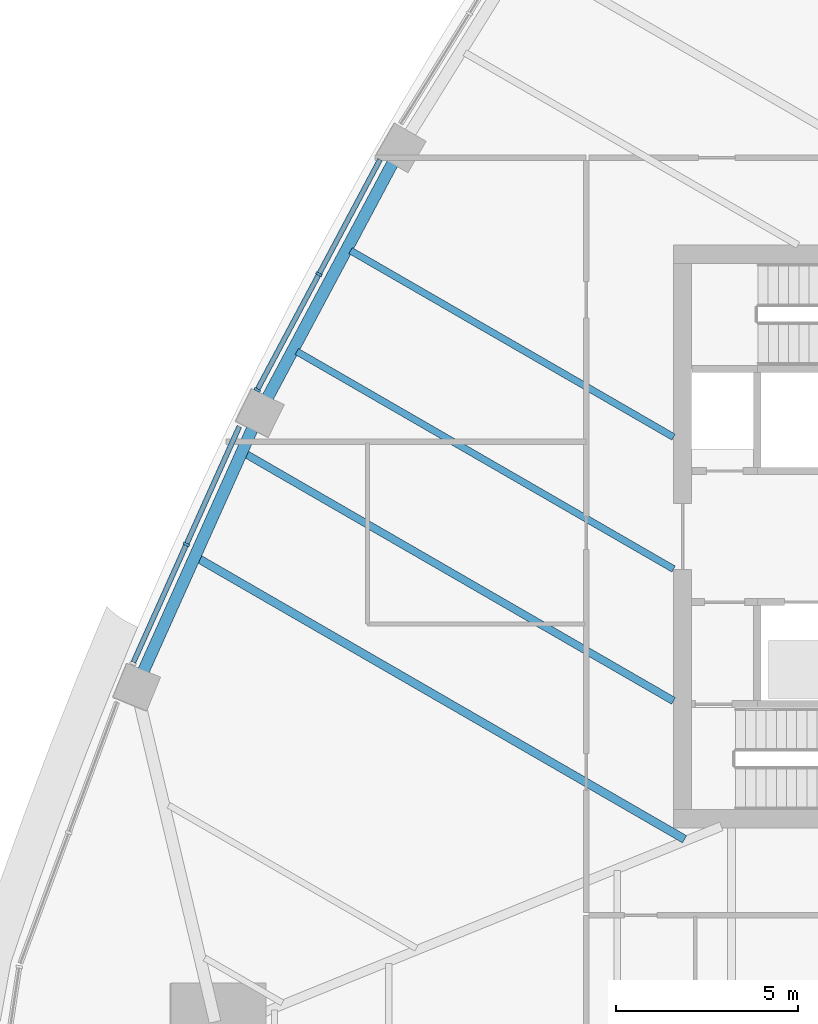
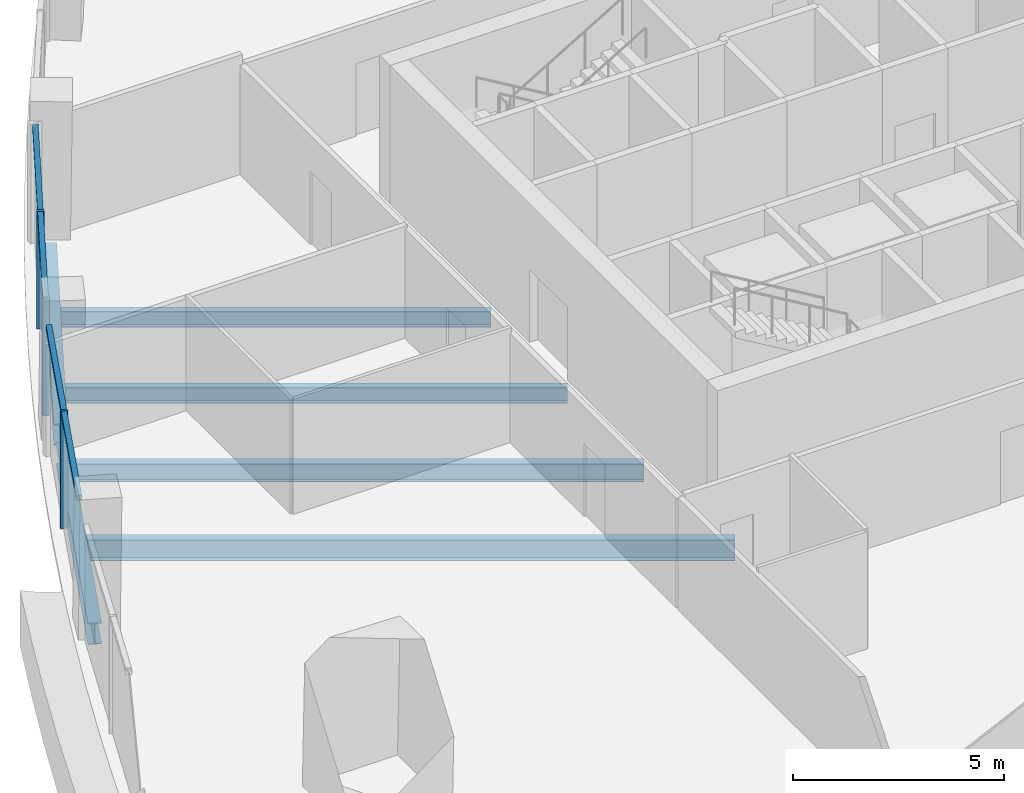
# One storey, part 3 of 16: 7 members, 6 beams, 2 elements without a shape of their own.
"""IFC4 building model written with IfcOpenShell, lengths in metres."""

from ifc_helpers import new_model, si_unit, direction, frame, origin, origin_2d, place, context, subcontext, project, spatial, rectangle, i_section, extrude, material, layer, layer_set, material_profile, profile_set, type_object, element, aggregate, save


model = new_model("IFC4")

# Units and contexts
model_context = context("Model", 3, precision=1e-05, world=origin(), true_north=direction((0.0, 1.0)))
body_context = subcontext(model_context, "Body", "Model", "MODEL_VIEW")
ifc_project = project(units=[si_unit("LENGTHUNIT", "METRE"), si_unit("AREAUNIT", "SQUARE_METRE"), si_unit("VOLUMEUNIT", "CUBIC_METRE"), si_unit("PLANEANGLEUNIT", "RADIAN"), si_unit("MASSUNIT", "GRAM", prefix="KILO")], contexts=[model_context])

# Site, building, storey
site_placement = place(None, origin())
site = spatial("IfcSite", under=ifc_project, at=site_placement, CompositionType="ELEMENT")
building_placement = place(site_placement, origin())
building = spatial("IfcBuilding", under=site, at=building_placement, Name="Sierra Prisma Convention Tower", CompositionType="ELEMENT")
storey_placement = place(building_placement, frame((0.0, 0.0, 181.800048828125)))
storey = spatial("IfcBuildingStorey", under=building, at=storey_placement, Name="L40", CompositionType="ELEMENT", Elevation=181.800048828125)

# Curtain wall, members
ifc_material_1 = material(Name="Aluminium and glass curtain wall", Category="aluminium")
ifc_layer = layer(ifc_material_1, 0.179931640625)
ifc_layer_set = layer_set([ifc_layer], Name="CW-1 Plain shaft curtain wall")
curtain_wall_type = type_object("IfcCurtainWallType", Name="CW-1 Plain shaft curtain wall", PredefinedType="NOTDEFINED", material=ifc_layer_set)
curtain_wall_1_placement = place(storey_placement, origin())
curtain_wall_1 = element("IfcCurtainWall", 1, at=curtain_wall_1_placement, inside=storey, type_object=curtain_wall_type, Name="CW-1 NW4 L40", PredefinedType="NOTDEFINED")
ifc_material_2 = material(Name="Aluminium 6063-T6 bronze anodised", Category="aluminium")
ifc_material_profile_1 = material_profile(ifc_material_2, rectangle(XDim=0.179931640625, YDim=0.070068359375, at=origin_2d()), Name="ALU MULLION 70x180")
ifc_profile_set_1 = profile_set([ifc_material_profile_1], Name="Aluminium 6063-T6 bronze anodised")
member_type_1 = type_object("IfcMemberType", Name="CW mullion bronze", PredefinedType="MULLION", material=ifc_profile_set_1)
member_1_placement = place(storey_placement, frame((-20.73388671875, 7.199951171875, 0.0), z_axis=(0.0, 0.0, 1.0), x_axis=(0.882426584724, -0.470450127615, 0.0)))
member_1 = element("IfcMember", 2, at=member_1_placement, type_object=member_type_1, Name="CW-1 mullion NW4.2", PredefinedType="MULLION", context=body_context, shape_type="SweptSolid", body=[
    extrude(rectangle(XDim=0.179931640625, YDim=0.070068359375, at=origin_2d()), origin(), (0.0, 0.0, 1.0), 3.39990234375),
])
member_2_placement = place(storey_placement, frame((-22.4267578125, 4.0244140625, 0.0), z_axis=(0.0, 0.0, 1.0), x_axis=(0.882426584724, -0.470450127615, 0.0)))
member_2 = element("IfcMember", 3, at=member_2_placement, type_object=member_type_1, Name="CW-1 mullion NW4.3", PredefinedType="MULLION", context=body_context, shape_type="SweptSolid", body=[
    extrude(rectangle(XDim=0.179931640625, YDim=0.070068359375, at=origin_2d()), origin(), (0.0, 0.0, 1.0), 3.39990234375),
])

# Curtain wall, member
curtain_wall_2_placement = place(storey_placement, origin())
curtain_wall_2 = element("IfcCurtainWall", 4, at=curtain_wall_2_placement, inside=storey, type_object=curtain_wall_type, Name="CW-1 NW5 L40", PredefinedType="NOTDEFINED")
member_3_placement = place(storey_placement, frame((-24.371826171875, -0.215087890625, 0.0), z_axis=(0.0, 0.0, 1.0), x_axis=(0.912187658255, -0.409772712767, 0.0)))
member_3 = element("IfcMember", 5, at=member_3_placement, type_object=member_type_1, Name="CW-1 mullion NW5.2", PredefinedType="MULLION", context=body_context, shape_type="SweptSolid", body=[
    extrude(rectangle(XDim=0.179931640625, YDim=0.070068359375, at=origin_2d()), origin(), (0.0, 0.0, 1.0), 3.39990234375),
])

# Member
ifc_material_3 = material(Name="Aluminium 6063-T6 bronze anodised", Category="aluminium")
ifc_material_profile_2 = material_profile(ifc_material_3, rectangle(XDim=0.139892578125, YDim=0.1201171875, at=origin_2d()), Name="ALU TRANSOM 120x140")
ifc_profile_set_2 = profile_set([ifc_material_profile_2], Name="Aluminium 6063-T6 bronze anodised")
member_type_2 = type_object("IfcMemberType", Name="CW transom bronze", PredefinedType="USERDEFINED", material=ifc_profile_set_2)
member_4_placement = place(storey_placement, frame((-19.05712890625, 10.344970703125, 3.33984375), z_axis=(-0.470444596473, -0.882429533532, 0.0), x_axis=(0.882429533532, -0.470444596473, 0.0)))
member_4 = element("IfcMember", 6, at=member_4_placement, type_object=member_type_2, Name="CW-1 transom NW4.1", ObjectType="TRANSOM", PredefinedType="USERDEFINED", context=body_context, shape_type="SweptSolid", body=[
    extrude(rectangle(XDim=0.139892578125, YDim=0.1201171875, at=origin_2d()), origin(), (0.0, 0.0, 1.0), 3.52880859375),
])

member_5_placement = place(storey_placement, frame((-20.750244140625, 7.169189453125, 3.33984375), z_axis=(-0.470444596473, -0.882429533532, 0.0), x_axis=(0.882429533532, -0.470444596473, 0.0)))
member_5 = element("IfcMember", 7, at=member_5_placement, type_object=member_type_2, Name="CW-1 transom NW4.2", ObjectType="TRANSOM", PredefinedType="USERDEFINED", context=body_context, shape_type="SweptSolid", body=[
    extrude(rectangle(XDim=0.139892578125, YDim=0.1201171875, at=origin_2d()), origin(), (0.0, 0.0, 1.0), 3.52880859375),
])

aggregate(curtain_wall_1, [member_1, member_2, member_4, member_5])

member_6_placement = place(storey_placement, frame((-22.91796875, 3.021240234375, 3.33984375), z_axis=(-0.409772178837, -0.912187898106, 0.0), x_axis=(0.912187898106, -0.409772178837, 0.0)))
member_6 = element("IfcMember", 8, at=member_6_placement, type_object=member_type_2, Name="CW-1 transom NW5.1", ObjectType="TRANSOM", PredefinedType="USERDEFINED", context=body_context, shape_type="SweptSolid", body=[
    extrude(rectangle(XDim=0.139892578125, YDim=0.1201171875, at=origin_2d()), origin(), (0.0, 0.0, 1.0), 3.5126953125),
])

member_7_placement = place(storey_placement, frame((-24.38623046875, -0.246826171875, 3.33984375), z_axis=(-0.409772178837, -0.912187898106, 0.0), x_axis=(0.912187898106, -0.409772178837, 0.0)))
member_7 = element("IfcMember", 9, at=member_7_placement, type_object=member_type_2, Name="CW-1 transom NW5.2", ObjectType="TRANSOM", PredefinedType="USERDEFINED", context=body_context, shape_type="SweptSolid", body=[
    extrude(rectangle(XDim=0.139892578125, YDim=0.1201171875, at=origin_2d()), origin(), (0.0, 0.0, 1.0), 3.5126953125),
])

aggregate(curtain_wall_2, [member_3, member_6, member_7])

# Beams
ifc_material_4 = material(Name="Steel ASTM A992 Gr 50", Category="steel")
ifc_material_profile_3 = material_profile(ifc_material_4, i_section(OverallWidth=0.18994140625, OverallDepth=0.45703125, WebThickness=0.009033203125, FlangeThickness=0.014404296875, at=origin_2d()), Name="W460x74")
ifc_profile_set_3 = profile_set([ifc_material_profile_3], Name="Steel ASTM A992 Gr 50")
beam_type_1 = type_object("IfcBeamType", Name="Floor joist W460x74", PredefinedType="JOIST", material=ifc_profile_set_3)
beam_1_placement = place(storey_placement, frame((-19.86474609375, 7.847412109375, -0.378662109375), z_axis=(0.86602115158, -0.500007364961, 0.0), x_axis=(0.500007364961, 0.86602115158, 0.0)))
element("IfcBeam", 10, at=beam_1_placement, inside=storey, type_object=beam_type_1, Name="Floor joist L40 NW09", PredefinedType="JOIST", context=body_context, shape_type="SweptSolid", body=[
    extrude(i_section(OverallWidth=0.18994140625, OverallDepth=0.45703125, WebThickness=0.009033203125, FlangeThickness=0.014404296875, at=origin_2d()), origin(), (0.0, 0.0, 1.0), 10.236083984375),
])
beam_2_placement = place(storey_placement, frame((-21.341064453125, 5.078125, -0.378662109375), z_axis=(0.866023857569, -0.500002678114, 0.0), x_axis=(0.500002678114, 0.866023857569, 0.0)))
element("IfcBeam", 11, at=beam_2_placement, inside=storey, type_object=beam_type_1, Name="Floor joist L40 NW10", PredefinedType="JOIST", context=body_context, shape_type="SweptSolid", body=[
    extrude(i_section(OverallWidth=0.18994140625, OverallDepth=0.45703125, WebThickness=0.009033203125, FlangeThickness=0.014404296875, at=origin_2d()), origin(), (0.0, 0.0, 1.0), 11.94091796875),
])
ifc_material_5 = material(Name="Steel ASTM A992 Gr 50", Category="steel")
ifc_material_profile_4 = material_profile(ifc_material_5, i_section(OverallWidth=0.208984375, OverallDepth=0.532958984375, WebThickness=0.01025390625, FlangeThickness=0.015625, at=origin_2d()), Name="W530x92")
ifc_profile_set_4 = profile_set([ifc_material_profile_4], Name="Steel ASTM A992 Gr 50")
beam_type_2 = type_object("IfcBeamType", Name="Floor joist W530x92", PredefinedType="JOIST", material=ifc_profile_set_4)
beam_3_placement = place(storey_placement, frame((-22.748779296875, 2.269287109375, -0.41650390625), z_axis=(0.866024055708, -0.500002334929, 0.0), x_axis=(0.500002334929, 0.866024055708, 0.0)))
element("IfcBeam", 12, at=beam_3_placement, inside=storey, type_object=beam_type_2, Name="Floor joist L40 NW11", PredefinedType="JOIST", context=body_context, shape_type="SweptSolid", body=[
    extrude(i_section(OverallWidth=0.208984375, OverallDepth=0.532958984375, WebThickness=0.01025390625, FlangeThickness=0.015625, at=origin_2d()), origin(), (0.0, 0.0, 1.0), 13.56640625),
])
ifc_material_6 = material(Name="Steel ASTM A992 Gr 50", Category="steel")
ifc_material_profile_5 = material_profile(ifc_material_6, i_section(OverallWidth=0.22802734375, OverallDepth=0.60302734375, WebThickness=0.010498046875, FlangeThickness=0.014892578125, at=origin_2d()), Name="W610x101")
ifc_profile_set_5 = profile_set([ifc_material_profile_5], Name="Steel ASTM A992 Gr 50")
beam_type_3 = type_object("IfcBeamType", Name="Floor joist W610x101", PredefinedType="JOIST", material=ifc_profile_set_5)
beam_4_placement = place(storey_placement, frame((-24.04052734375, -0.6064453125, -0.45166015625), z_axis=(0.86602488411, -0.500000900101, 0.0), x_axis=(0.500000900101, 0.86602488411, 0.0)))
element("IfcBeam", 13, at=beam_4_placement, inside=storey, type_object=beam_type_3, Name="Floor joist L40 NW12", PredefinedType="JOIST", context=body_context, shape_type="SweptSolid", body=[
    extrude(i_section(OverallWidth=0.22802734375, OverallDepth=0.60302734375, WebThickness=0.010498046875, FlangeThickness=0.014892578125, at=origin_2d()), origin(), (0.0, 0.0, 1.0), 15.4072265625),
])
ifc_material_7 = material(Name="Steel ASTM A992 Gr 50", Category="steel")
ifc_material_profile_6 = material_profile(ifc_material_7, i_section(OverallWidth=0.324951171875, OverallDepth=0.615966796875, WebThickness=0.013916015625, FlangeThickness=0.021484375, at=origin_2d()), Name="W610x174")
ifc_profile_set_6 = profile_set([ifc_material_profile_6], Name="Steel ASTM A992 Gr 50")
beam_type_4 = type_object("IfcBeamType", Name="Spandrel beam W610x174", PredefinedType="BEAM", material=ifc_profile_set_6)
for number, where, z_axis, x_axis, name in (
    (14, (-18.664794921875, 10.33740234375, -0.4580078125), (-0.470458067184, -0.882422351837, 0.0), (0.882422351837, -0.470458067184, 0.0), "Spandrel L40-16"),
    (15, (-22.526123046875, 3.040283203125, -0.4580078125), (-0.409752474458, -0.912196749433, 0.0), (0.912196749433, -0.409752474458, 0.0), "Spandrel L40-17"),
):
    element("IfcBeam", number, at=place(storey_placement, frame(where, z_axis=z_axis, x_axis=x_axis)), inside=storey, type_object=beam_type_4, Name=name, PredefinedType="BEAM", context=body_context, shape_type="SweptSolid", body=[
        extrude(i_section(OverallWidth=0.324951171875, OverallDepth=0.615966796875, WebThickness=0.013916015625, FlangeThickness=0.021484375, at=origin_2d()), origin(), (0.0, 0.0, 1.0), 7.49609375),
    ])

save(model, "model.ifc")
